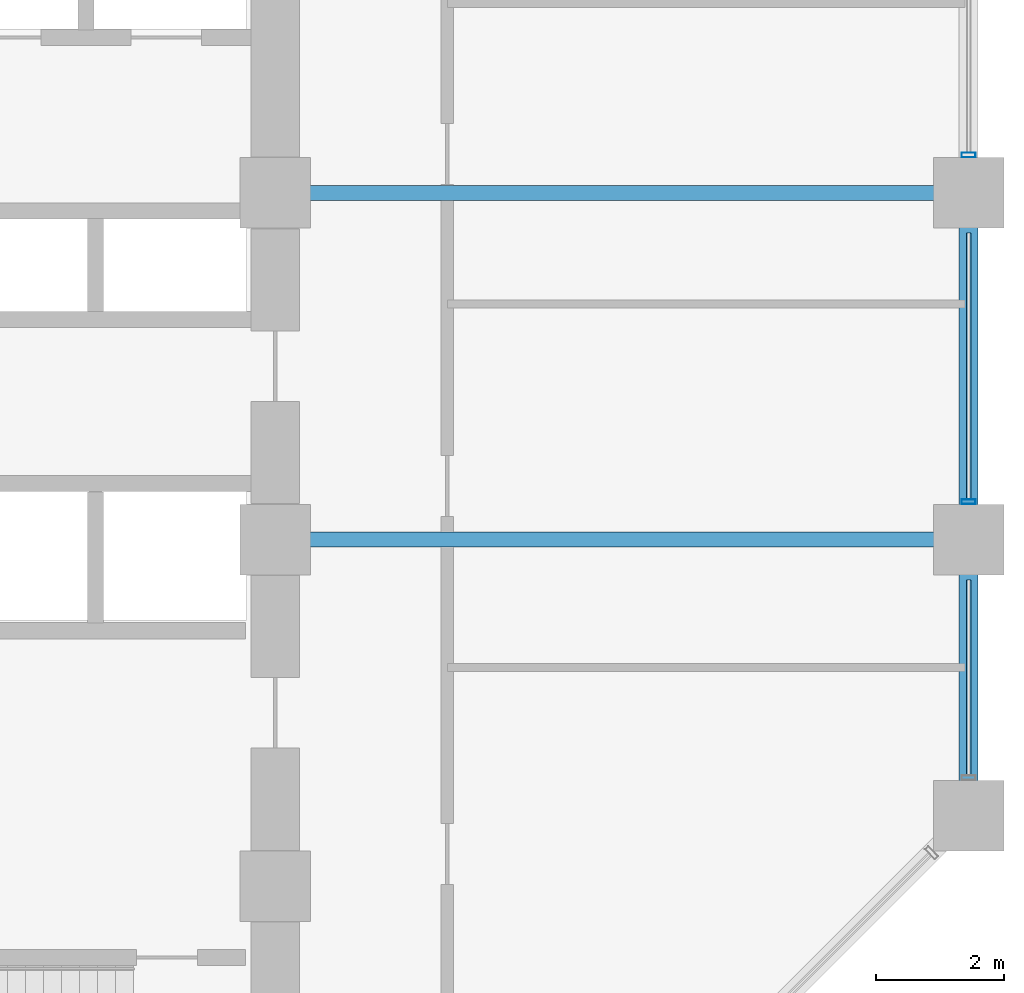
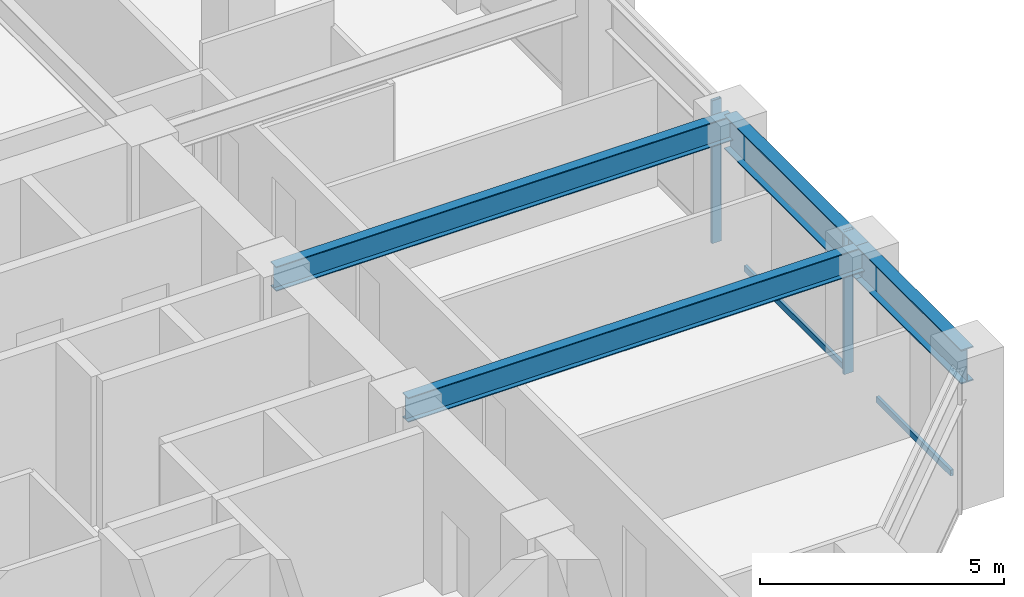
# One storey, part 9 of 25: 4 beams, 4 members, 1 element without a shape of its own.
"""IFC4 building model written with IfcOpenShell, lengths in metres."""

from ifc_helpers import new_model, si_unit, direction, frame, origin, origin_2d, place, context, subcontext, project, spatial, hollow_rectangle, i_section, extrude, material, layer, layer_set, material_profile, profile_set, type_object, element, aggregate, save


model = new_model("IFC4")

# Units and contexts
model_context = context("Model", 3, precision=1e-05, world=origin(), true_north=direction((0.0, 1.0)))
body_context = subcontext(model_context, "Body", "Model", "MODEL_VIEW")
ifc_project = project(units=[si_unit("LENGTHUNIT", "METRE"), si_unit("AREAUNIT", "SQUARE_METRE"), si_unit("VOLUMEUNIT", "CUBIC_METRE"), si_unit("PLANEANGLEUNIT", "RADIAN"), si_unit("MASSUNIT", "GRAM", prefix="KILO")], contexts=[model_context])

# Site, building, storey
site_placement = place(None, origin())
site = spatial("IfcSite", under=ifc_project, at=site_placement, CompositionType="ELEMENT")
building_placement = place(site_placement, origin())
building = spatial("IfcBuilding", under=site, at=building_placement, Name="Surkhivell Harbour Commons", CompositionType="ELEMENT")
storey_placement = place(building_placement, frame((0.0, 0.0, 117.0)))
storey = spatial("IfcBuildingStorey", under=building, at=storey_placement, Name="L30", CompositionType="ELEMENT", Elevation=117.0)

# Beams
ifc_material_1 = material(Name="Steel S355", Category="steel")
ifc_material_profile_1 = material_profile(ifc_material_1, i_section(OverallWidth=0.22998046875, OverallDepth=0.616943359375, WebThickness=0.01318359375, FlangeThickness=0.022216796875, at=origin_2d()), Name="UB610x229x140")
ifc_profile_set_1 = profile_set([ifc_material_profile_1], Name="Steel S355")
beam_type_1 = type_object("IfcBeamType", Name="BM-GRD-610B", PredefinedType="BEAM", material=ifc_profile_set_1)
for number, where, z_axis, x_axis, name in (
    (1, (10.800048828125, 0.0, 3.261474609375), (1.0, 0.0, 0.0), (0.0, 1.0, 0.0), "L30 Floor Girder (10.8,0.0)"),
    (2, (10.800048828125, 5.39990234375, 3.261474609375), (1.0, 0.0, 0.0), (0.0, 1.0, 0.0), "L30 Floor Girder (10.8,5.4)"),
):
    element("IfcBeam", number, at=place(storey_placement, frame(where, z_axis=z_axis, x_axis=x_axis)), inside=storey, type_object=beam_type_1, Name=name, PredefinedType="BEAM", context=body_context, shape_type="SweptSolid", body=[
        extrude(i_section(OverallWidth=0.22998046875, OverallDepth=0.616943359375, WebThickness=0.01318359375, FlangeThickness=0.022216796875, at=origin_2d()), origin(), (0.0, 0.0, 1.0), 10.800048828125),
    ])
ifc_material_2 = material(Name="Steel S460", Category="steel")
ifc_material_profile_2 = material_profile(ifc_material_2, i_section(OverallWidth=0.2939453125, OverallDepth=0.85107421875, WebThickness=0.01611328125, FlangeThickness=0.02685546875, at=origin_2d()), Name="UB838x292x226")
ifc_profile_set_2 = profile_set([ifc_material_profile_2], Name="Steel S460")
beam_type_2 = type_object("IfcBeamType", Name="BM-SPN-838", PredefinedType="SPANDREL", material=ifc_profile_set_2)
beam_1_placement = place(storey_placement, frame((21.60009765625, -4.300048828125, 3.14453125), z_axis=(0.0, 1.0, 0.0), x_axis=(-1.0, 0.0, 0.0)))
element("IfcBeam", 3, at=beam_1_placement, inside=storey, type_object=beam_type_2, Name="L30 Tube Spandrel (21.6,-4.3)", PredefinedType="SPANDREL", context=body_context, shape_type="SweptSolid", body=[
    extrude(i_section(OverallWidth=0.2939453125, OverallDepth=0.85107421875, WebThickness=0.01611328125, FlangeThickness=0.02685546875, at=origin_2d()), origin(), (0.0, 0.0, 1.0), 4.300048828125),
])
beam_2_placement = place(storey_placement, frame((21.60009765625, 0.0, 3.14453125), z_axis=(0.0, 1.0, 0.0), x_axis=(-1.0, 0.0, 0.0)))
element("IfcBeam", 4, at=beam_2_placement, inside=storey, type_object=beam_type_2, Name="L30 Tube Spandrel (21.6,0.0)", PredefinedType="SPANDREL", context=body_context, shape_type="SweptSolid", body=[
    extrude(i_section(OverallWidth=0.2939453125, OverallDepth=0.85107421875, WebThickness=0.01611328125, FlangeThickness=0.02685546875, at=origin_2d()), origin(), (0.0, 0.0, 1.0), 5.39990234375),
])

# Curtain wall, members
ifc_material_3 = material(Name="Anodised pale-metal aluminium and insulated glazing", Category="aluminium")
ifc_layer = layer(ifc_material_3, 0.205078125)
ifc_layer_set = layer_set([ifc_layer], Name="Anodised pale-metal aluminium and insulated glazing")
curtain_wall_type = type_object("IfcCurtainWallType", Name="CW-SYS-Z2", PredefinedType="NOTDEFINED", material=ifc_layer_set)
curtain_wall_placement = place(storey_placement, origin())
curtain_wall = element("IfcCurtainWall", 5, at=curtain_wall_placement, inside=storey, type_object=curtain_wall_type, Name="L30 Curtain Wall CW-L30-E02", PredefinedType="NOTDEFINED")
ifc_material_4 = material(Name="Anodised pale-metal aluminium alloy 6063-T6", Category="aluminium")
ifc_material_profile_3 = material_profile(ifc_material_4, hollow_rectangle(XDim=0.074951171875, YDim=0.219970703125, WallThickness=0.00390625, at=origin_2d()), Name="ALU-MULL-75x220")
ifc_profile_set_3 = profile_set([ifc_material_profile_3], Name="Anodised pale-metal aluminium alloy 6063-T6")
member_type_1 = type_object("IfcMemberType", Name="CWM-220", PredefinedType="MULLION", material=ifc_profile_set_3)
member_1_placement = place(storey_placement, frame((21.60009765625, 0.589599609375, 0.0), z_axis=(0.0, 0.0, 1.0), x_axis=(0.0, 1.0, 0.0)))
member_1 = element("IfcMember", 6, at=member_1_placement, type_object=member_type_1, Name="CW-Z2 mullion 2", PredefinedType="MULLION", context=body_context, shape_type="SweptSolid", body=[
    extrude(hollow_rectangle(XDim=0.074951171875, YDim=0.219970703125, WallThickness=0.00390625, at=origin_2d()), origin(), (0.0, 0.0, 1.0), 3.570068359375),
])
member_2_placement = place(storey_placement, frame((21.60009765625, 5.989501953125, 0.0), z_axis=(0.0, 0.0, 1.0), x_axis=(0.0, 1.0, 0.0)))
member_2 = element("IfcMember", 7, at=member_2_placement, type_object=member_type_1, Name="CW-Z2 mullion 3", PredefinedType="MULLION", context=body_context, shape_type="SweptSolid", body=[
    extrude(hollow_rectangle(XDim=0.074951171875, YDim=0.219970703125, WallThickness=0.00390625, at=origin_2d()), origin(), (0.0, 0.0, 1.0), 3.570068359375),
])
ifc_material_profile_4 = material_profile(ifc_material_4, hollow_rectangle(XDim=0.074951171875, YDim=0.14990234375, WallThickness=0.00341796875, at=origin_2d()), Name="ALU-TRAN-75x150")
ifc_profile_set_4 = profile_set([ifc_material_profile_4], Name="Anodised pale-metal aluminium alloy 6063-T6")
member_type_2 = type_object("IfcMemberType", Name="CWT-150", PredefinedType="USERDEFINED", material=ifc_profile_set_4)
member_3_placement = place(storey_placement, frame((21.60009765625, -3.673095703125, 0.074951171875), z_axis=(0.0, 1.0, 0.0), x_axis=(-1.0, 0.0, 0.0)))
member_3 = element("IfcMember", 8, at=member_3_placement, type_object=member_type_2, Name="CW-Z2 transom 1.1", ObjectType="TRANSOM", PredefinedType="USERDEFINED", context=body_context, shape_type="SweptSolid", body=[
    extrude(hollow_rectangle(XDim=0.074951171875, YDim=0.14990234375, WallThickness=0.00341796875, at=origin_2d()), origin(), (0.0, 0.0, 1.0), 3.046142578125),
])
member_4_placement = place(storey_placement, frame((21.60009765625, 0.626953125, 0.074951171875), z_axis=(0.0, 1.0, 0.0), x_axis=(-1.0, 0.0, 0.0)))
member_4 = element("IfcMember", 9, at=member_4_placement, type_object=member_type_2, Name="CW-Z2 transom 2.1", ObjectType="TRANSOM", PredefinedType="USERDEFINED", context=body_context, shape_type="SweptSolid", body=[
    extrude(hollow_rectangle(XDim=0.074951171875, YDim=0.14990234375, WallThickness=0.00341796875, at=origin_2d()), origin(), (0.0, 0.0, 1.0), 4.14599609375),
])
aggregate(curtain_wall, [member_3, member_1, member_4, member_2])

save(model, "model.ifc")
